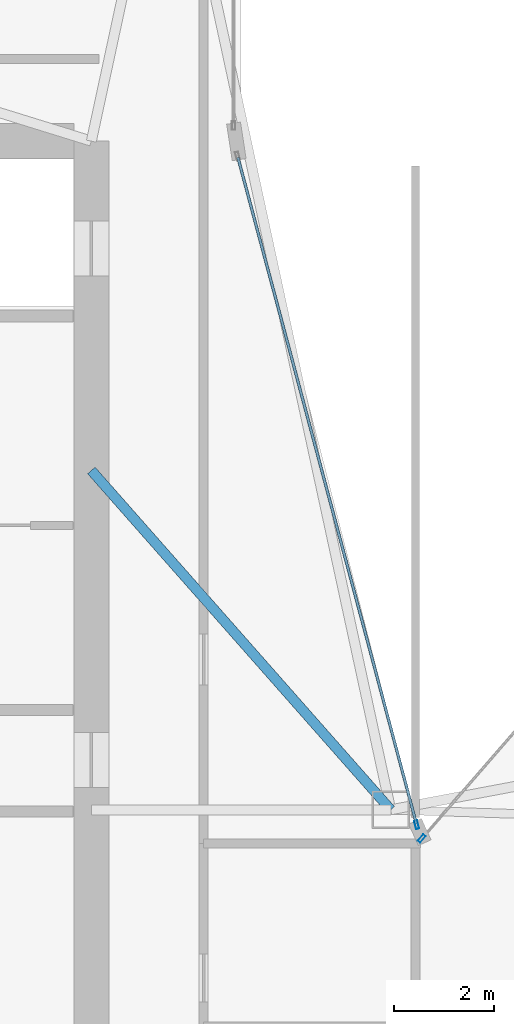
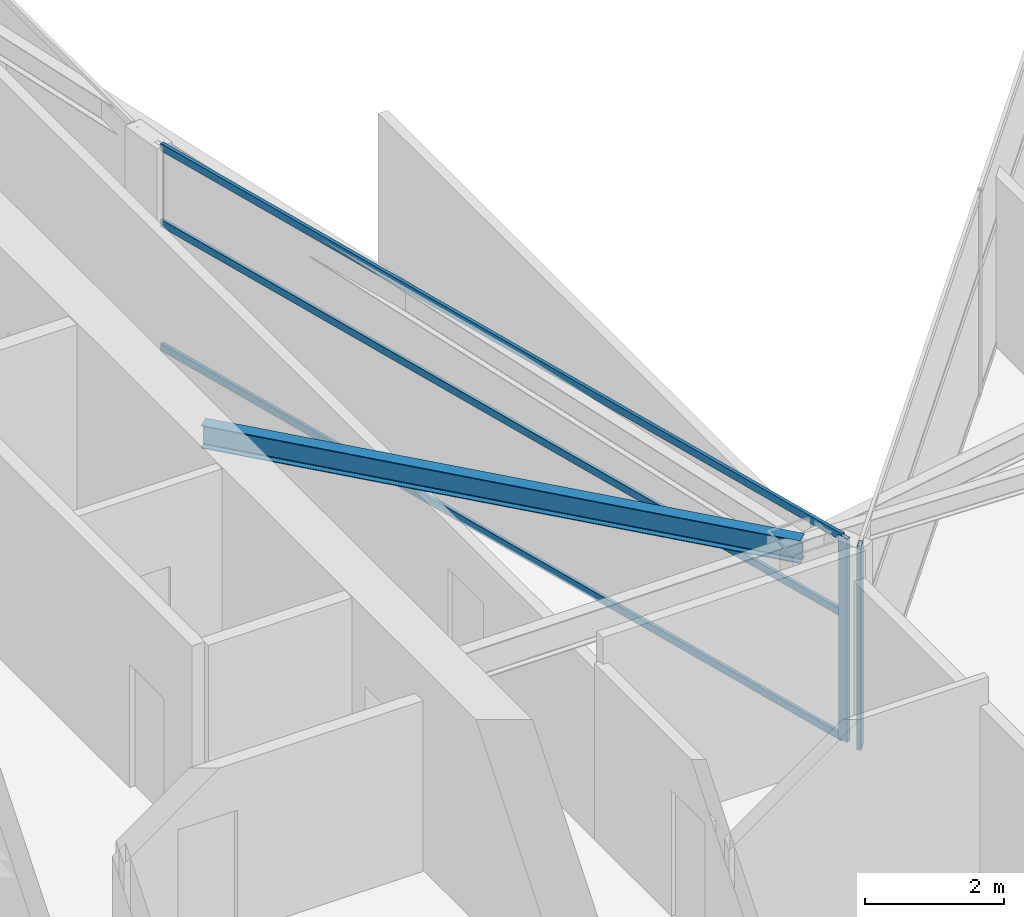
# One storey, part 11 of 29: 5 members, 1 beam, 2 elements without a shape of their own.
"""IFC4 building model written with IfcOpenShell, lengths in metres."""

import ifcopenshell
import ifcopenshell.guid

model = None  # the IFC model being written
_history = None  # IfcOwnerHistory: only IFC2X3 demands one
_inside = {}  # id of a spatial element -> (the spatial element, [elements in it])
_under = {}  # id of a project, library or spatial element -> (it, [spatial elements below it])
_declared = {}  # id of a project -> (the project, [libraries it declares])
_typed = {}  # id of a type object -> (the type object, [elements of that type])
_made_of = {}  # id of a material, layer set ... -> (it, [elements and type objects made of it])


def new_model(schema):
    """Start an empty IFC model of exactly this schema.

    Asked for "IFC4X3", IfcOpenShell would pick the latest addendum, in which some entities
    have other attributes; the version numbers below select the first issue.
    IFC2X3 requires an IfcOwnerHistory on every rooted entity: one is made here for all.
    """
    global model, _history
    if schema == "IFC4X3":
        model = ifcopenshell.file(schema_version=(4, 3, 0, 0))
    else:
        model = ifcopenshell.file(schema=schema)
    _inside.clear()
    _under.clear()
    _declared.clear()
    _typed.clear()
    _made_of.clear()
    _history = None
    if model.schema == "IFC2X3":
        org = make("IfcOrganization", Name="unknown")
        user = make(
            "IfcPersonAndOrganization",
            ThePerson=make("IfcPerson", FamilyName="unknown"),
            TheOrganization=org,
        )
        app = make(
            "IfcApplication",
            ApplicationDeveloper=org,
            Version="unknown",
            ApplicationFullName="unknown",
            ApplicationIdentifier="unknown",
        )
        _history = make(
            "IfcOwnerHistory",
            OwningUser=user,
            OwningApplication=app,
            ChangeAction="ADDED",
            CreationDate=0,
        )
    return model


def make(cls, **values):
    """One entity of the class cls with the attributes given. An attribute that is None is left unset."""
    return model.create_entity(
        cls, **{name: value for name, value in values.items() if value is not None}
    )


def rooted(cls, **values):
    """An entity with a GlobalId (a new one), such as an element, a storey or a relation."""
    return make(cls, GlobalId=ifcopenshell.guid.new(), OwnerHistory=_history, **values)


def si_unit(unit_type, name, prefix=None):
    """IfcSIUnit, for example si_unit("LENGTHUNIT", "METRE", prefix="MILLI")."""
    return make("IfcSIUnit", UnitType=unit_type, Prefix=prefix, Name=name)


def assignment(units):
    """IfcUnitAssignment: the units of a project."""
    return None if units is None else make("IfcUnitAssignment", Units=units)


def point(xyz):
    """IfcCartesianPoint."""
    return None if xyz is None else make("IfcCartesianPoint", Coordinates=xyz)


def direction(xyz):
    """IfcDirection."""
    return None if xyz is None else make("IfcDirection", DirectionRatios=xyz)


def frame(location, z_axis=None, x_axis=None):
    """IfcAxis2Placement3D, a coordinate frame: its origin and axes. An axis left out is left unset."""
    return make(
        "IfcAxis2Placement3D",
        Location=point(location),
        Axis=direction(z_axis),
        RefDirection=direction(x_axis),
    )


def frame_2d(location, x_axis=None):
    """IfcAxis2Placement2D, a coordinate frame in the plane: its origin and x axis."""
    return make(
        "IfcAxis2Placement2D", Location=point(location), RefDirection=direction(x_axis)
    )


def origin():
    """The frame at (0, 0, 0) with its axes left unset."""
    return frame((0.0, 0.0, 0.0))


def origin_2d():
    """The frame at (0, 0) in the plane with its x axis left unset."""
    return frame_2d((0.0, 0.0))


def place(relative_to, where):
    """IfcLocalPlacement: puts the frame where relative to a parent placement (None: the world)."""
    return make(
        "IfcLocalPlacement", PlacementRelTo=relative_to, RelativePlacement=where
    )


def context(
    kind, dimensions, precision=None, world=None, true_north=None, identifier=None
):
    """IfcGeometricRepresentationContext, for example the 3D "Model" context."""
    return make(
        "IfcGeometricRepresentationContext",
        ContextIdentifier=identifier,
        ContextType=kind,
        CoordinateSpaceDimension=dimensions,
        Precision=precision,
        WorldCoordinateSystem=world,
        TrueNorth=true_north,
    )


def subcontext(parent, identifier, kind, view, scale=None):
    """IfcGeometricRepresentationSubContext, for example "Body" below "Model"."""
    return make(
        "IfcGeometricRepresentationSubContext",
        ContextIdentifier=identifier,
        ContextType=kind,
        ParentContext=parent,
        TargetScale=scale,
        TargetView=view,
    )


def project(units=None, contexts=None):
    """IfcProject with its units and contexts."""
    return rooted(
        "IfcProject",
        Name="project",
        RepresentationContexts=contexts,
        UnitsInContext=assignment(units),
    )


def spatial(cls, under=None, at=None, **own):
    """A site, building, storey or space (cls), placed at a placement, below another one or the project."""
    s = rooted(cls, ObjectPlacement=at, **own)
    if under is not None:
        _under.setdefault(under.id(), (under, []))[1].append(s)
    return s


def profile(cls, at=None, kind="AREA", **sizes):
    """A parametric profile (cls). Its sizes go by their IFC names, for example OverallWidth=200.0."""
    return make(cls, ProfileType=kind, Position=at, **sizes)


def hollow_rectangle(**sizes):
    """IfcRectangleHollowProfileDef."""
    return profile("IfcRectangleHollowProfileDef", **sizes)


def i_section(**sizes):
    """IfcIShapeProfileDef."""
    return profile("IfcIShapeProfileDef", **sizes)


def extrude(swept, where, along, depth):
    """IfcExtrudedAreaSolid: the profile swept, set in the frame where, extruded along a direction by depth."""
    return make(
        "IfcExtrudedAreaSolid",
        SweptArea=swept,
        Position=where,
        ExtrudedDirection=direction(along),
        Depth=depth,
    )


def shape(context_of_items, identifier, shape_type, items):
    """IfcShapeRepresentation: the items that make up one representation, for example the "Body"."""
    return make(
        "IfcShapeRepresentation",
        ContextOfItems=context_of_items,
        RepresentationIdentifier=identifier,
        RepresentationType=shape_type,
        Items=items,
    )


def material(Name=None, Category=None):
    """IfcMaterial."""
    return make("IfcMaterial", Name=Name, Category=Category)


def layer(
    of_material, thickness, ventilated=None, Name=None, Category=None, Priority=None
):
    """IfcMaterialLayer: one layer of a wall or slab, of a material (None: an air gap)."""
    return make(
        "IfcMaterialLayer",
        Material=of_material,
        LayerThickness=thickness,
        IsVentilated=ventilated,
        Name=Name,
        Category=Category,
        Priority=Priority,
    )


def layer_set(layers, Name=None):
    """IfcMaterialLayerSet."""
    return make("IfcMaterialLayerSet", MaterialLayers=layers, LayerSetName=Name)


def material_profile(
    of_material, cross_section, Name=None, Category=None, Priority=None
):
    """IfcMaterialProfile: a cross section and its material."""
    return make(
        "IfcMaterialProfile",
        Name=Name,
        Material=of_material,
        Profile=cross_section,
        Priority=Priority,
        Category=Category,
    )


def profile_set(profiles, Name=None, composite=None):
    """IfcMaterialProfileSet."""
    return make(
        "IfcMaterialProfileSet",
        Name=Name,
        MaterialProfiles=profiles,
        CompositeProfile=composite,
    )


def made_of(thing, what):
    """Note that an element or type object is made of a material, layer set ...; save() writes the relation."""
    if what is not None:
        _made_of.setdefault(what.id(), (what, []))[1].append(thing)
    return thing


def type_object(cls, material=None, **own):
    """A type object (cls), such as IfcWallType, which elements share."""
    return made_of(rooted(cls, **own), material)


def element(
    cls,
    number,
    at=None,
    inside=None,
    cuts=None,
    type_object=None,
    material=None,
    context=None,
    identifier="Body",
    shape_type=None,
    held_by="IfcProductDefinitionShape",
    body=None,
    shapes=None,
    **own,
):
    """One element of the class cls, such as IfcWall. Its Tag is "e" and its number.

    at: its placement. inside: the storey or other place that contains it. cuts: it is an
    opening in that element (IfcRelVoidsElement). A single representation is given by context,
    identifier, shape_type and body (its items); several are given by shapes. held_by: the class
    of the entity that holds the representations. save() writes the other relations.
    """
    e = rooted(cls, Tag="e%d" % number, ObjectPlacement=at, **own)
    if body is not None:
        shapes = [shape(context, identifier, shape_type, body)]
    if shapes is not None:
        e.Representation = make(held_by, Representations=shapes)
    if inside is not None:
        _inside.setdefault(inside.id(), (inside, []))[1].append(e)
    if cuts is not None:
        rooted(
            "IfcRelVoidsElement", RelatingBuildingElement=cuts, RelatedOpeningElement=e
        )
    if type_object is not None:
        _typed.setdefault(type_object.id(), (type_object, []))[1].append(e)
    return made_of(e, material)


def aggregate(whole, parts):
    """IfcRelAggregates: a whole, such as a stair, and the parts it consists of."""
    return rooted("IfcRelAggregates", RelatingObject=whole, RelatedObjects=parts)


def save(model, path):
    """Write the relations noted so far, then the file.

    IfcRelAggregates (storeys below a building ...), IfcRelContainedInSpatialStructure (elements
    in a storey), IfcRelDefinesByType, IfcRelAssociatesMaterial and IfcRelDeclares: one each for
    every whole, place, type object, material and project.
    """
    for whole, parts in _under.values():
        aggregate(whole, parts)
    for where, things in _inside.values():
        rooted(
            "IfcRelContainedInSpatialStructure",
            RelatedElements=things,
            RelatingStructure=where,
        )
    for kind, things in _typed.values():
        rooted("IfcRelDefinesByType", RelatedObjects=things, RelatingType=kind)
    for what, things in _made_of.values():
        rooted("IfcRelAssociatesMaterial", RelatedObjects=things, RelatingMaterial=what)
    for by, libraries in _declared.values():
        rooted("IfcRelDeclares", RelatingContext=by, RelatedDefinitions=libraries)
    model.write(path)


model = new_model("IFC4")

# Units and contexts
model_context = context("Model", 3, precision=1e-05, world=origin(), true_north=direction((0.0, 1.0)))
body_context = subcontext(model_context, "Body", "Model", "MODEL_VIEW")
ifc_project = project(units=[si_unit("LENGTHUNIT", "METRE"), si_unit("AREAUNIT", "SQUARE_METRE"), si_unit("VOLUMEUNIT", "CUBIC_METRE"), si_unit("PLANEANGLEUNIT", "RADIAN"), si_unit("MASSUNIT", "GRAM", prefix="KILO")], contexts=[model_context])

# Site, building, storey
site_placement = place(None, origin())
site = spatial("IfcSite", under=ifc_project, at=site_placement, CompositionType="ELEMENT")
building_placement = place(site_placement, origin())
building = spatial("IfcBuilding", under=site, at=building_placement, Name="Calvorn Quay Hotel", CompositionType="ELEMENT")
storey_placement = place(building_placement, frame((0.0, 0.0, 247.60009765625)))
storey = spatial("IfcBuildingStorey", under=building, at=storey_placement, Name="L61", CompositionType="ELEMENT", Elevation=247.60009765625)

# Beam
ifc_material_1 = material(Name="Steel Q355B", Category="steel")
ifc_material_profile_1 = material_profile(ifc_material_1, i_section(OverallWidth=0.199951171875, OverallDepth=0.39990234375, WebThickness=0.008056640625, FlangeThickness=0.012939453125, FilletRadius=0.01611328125, at=origin_2d()), Name="HN400x200x8x13")
ifc_profile_set_1 = profile_set([ifc_material_profile_1], Name="Steel Q355B")
beam_type = type_object("IfcBeamType", Name="BM-JOIST-TYP", PredefinedType="JOIST", material=ifc_profile_set_1)
beam_placement = place(storey_placement, frame((15.0, 31.800048828125, 3.33984375), z_axis=(0.661618965899, -0.749840212287, 0.0), x_axis=(0.749840212287, 0.661618965899, 0.0)))
element("IfcBeam", 1, at=beam_placement, inside=storey, type_object=beam_type, Name="Beam BJ-L61-C1", PredefinedType="JOIST", context=body_context, shape_type="SweptSolid", body=[
    extrude(i_section(OverallWidth=0.199951171875, OverallDepth=0.39990234375, WebThickness=0.008056640625, FlangeThickness=0.012939453125, FilletRadius=0.01611328125, at=origin_2d()), origin(), (0.0, 0.0, 1.0), 9.068603515625),
])

# Curtain wall, member
ifc_material_2 = material(Name="Champagne Bronze Anodised Aluminium and Low-E Glass", Category="aluminium")
ifc_layer = layer(ifc_material_2, 0.219970703125)
ifc_layer_set = layer_set([ifc_layer], Name="CW-SYS-Z4")
curtain_wall_type = type_object("IfcCurtainWallType", Name="CW-SYS-Z4", PredefinedType="NOTDEFINED", material=ifc_layer_set)
curtain_wall_1_placement = place(storey_placement, origin())
curtain_wall_1 = element("IfcCurtainWall", 2, at=curtain_wall_1_placement, inside=storey, type_object=curtain_wall_type, Name="Inner Court Curtain Wall L61-NE1", PredefinedType="NOTDEFINED")
ifc_material_3 = material(Name="Champagne Bronze Anodised Aluminium 6063-T6", Category="aluminium")
ifc_material_profile_2 = material_profile(ifc_material_3, hollow_rectangle(XDim=0.06494140625, YDim=0.169921875, WallThickness=0.00341796875, at=origin_2d()), Name="ALU-M170x65x3.5")
ifc_profile_set_2 = profile_set([ifc_material_profile_2], Name="Champagne Bronze Anodised Aluminium 6063-T6")
member_type_1 = type_object("IfcMemberType", Name="CW-SYS-Z4-MUL", PredefinedType="MULLION", material=ifc_profile_set_2)
member_1_placement = place(storey_placement, frame((21.61962890625, 24.422607421875, 0.0), z_axis=(0.0, 0.0, 1.0), x_axis=(0.755322467304, -0.655353317216, 0.0)))
member_1 = element("IfcMember", 3, at=member_1_placement, type_object=member_type_1, Name="CW-L61-NE1 mullion 3", PredefinedType="MULLION", context=body_context, shape_type="SweptSolid", body=[
    extrude(hollow_rectangle(XDim=0.06494140625, YDim=0.169921875, WallThickness=0.00341796875, at=origin_2d()), origin(), (0.0, 0.0, 1.0), 3.559814453125),
])
aggregate(curtain_wall_1, [member_1])

# Curtain wall, members
curtain_wall_2_placement = place(storey_placement, origin())
curtain_wall_2 = element("IfcCurtainWall", 4, at=curtain_wall_2_placement, inside=storey, type_object=curtain_wall_type, Name="Inner Court Curtain Wall L61-IC1", PredefinedType="NOTDEFINED")
member_2_placement = place(storey_placement, frame((21.520263671875, 24.698974609375, 0.0), z_axis=(0.0, 0.0, 1.0), x_axis=(-0.96593652056, -0.25877913024, 0.0)))
member_2 = element("IfcMember", 5, at=member_2_placement, type_object=member_type_1, Name="CW-L61-IC1 mullion 1", PredefinedType="MULLION", context=body_context, shape_type="SweptSolid", body=[
    extrude(hollow_rectangle(XDim=0.06494140625, YDim=0.169921875, WallThickness=0.00341796875, at=origin_2d()), origin(), (0.0, 0.0, 1.0), 3.559814453125),
])
ifc_material_4 = material(Name="Champagne Bronze Anodised Aluminium 6063-T6", Category="aluminium")
ifc_material_profile_3 = material_profile(ifc_material_4, hollow_rectangle(XDim=0.054931640625, YDim=0.1298828125, WallThickness=0.003173828125, at=origin_2d()), Name="ALU-T130x55x3.2")
ifc_profile_set_3 = profile_set([ifc_material_profile_3], Name="Champagne Bronze Anodised Aluminium 6063-T6")
member_type_2 = type_object("IfcMemberType", Name="CW-SYS-Z4-TRN", PredefinedType="USERDEFINED", material=ifc_profile_set_3)
member_3_placement = place(storey_placement, frame((21.512451171875, 24.72802734375, 0.02978515625), z_axis=(-0.258781136883, 0.965935982969, 0.0), x_axis=(-0.965935982969, -0.258781136883, 0.0)))
member_3 = element("IfcMember", 6, at=member_3_placement, type_object=member_type_2, Name="CW-L61-IC1 transom 1.1", ObjectType="TRANSOM", PredefinedType="USERDEFINED", context=body_context, shape_type="SweptSolid", body=[
    extrude(hollow_rectangle(XDim=0.054931640625, YDim=0.1298828125, WallThickness=0.003173828125, at=origin_2d()), origin(), (0.0, 0.0, 1.0), 13.814453125),
])
member_4_placement = place(storey_placement, frame((21.512451171875, 24.72802734375, 2.199951171875), z_axis=(-0.258781136883, 0.965935982969, 0.0), x_axis=(-0.965935982969, -0.258781136883, 0.0)))
member_4 = element("IfcMember", 7, at=member_4_placement, type_object=member_type_2, Name="CW-L61-IC1 transom 1.2", ObjectType="TRANSOM", PredefinedType="USERDEFINED", context=body_context, shape_type="SweptSolid", body=[
    extrude(hollow_rectangle(XDim=0.054931640625, YDim=0.1298828125, WallThickness=0.003173828125, at=origin_2d()), origin(), (0.0, 0.0, 1.0), 13.814453125),
])
member_5_placement = place(storey_placement, frame((21.512451171875, 24.72802734375, 3.52978515625), z_axis=(-0.258781136883, 0.965935982969, 0.0), x_axis=(-0.965935982969, -0.258781136883, 0.0)))
member_5 = element("IfcMember", 8, at=member_5_placement, type_object=member_type_2, Name="CW-L61-IC1 transom 1.3", ObjectType="TRANSOM", PredefinedType="USERDEFINED", context=body_context, shape_type="SweptSolid", body=[
    extrude(hollow_rectangle(XDim=0.054931640625, YDim=0.1298828125, WallThickness=0.003173828125, at=origin_2d()), origin(), (0.0, 0.0, 1.0), 13.814453125),
])
aggregate(curtain_wall_2, [member_2, member_3, member_4, member_5])

save(model, "model.ifc")
